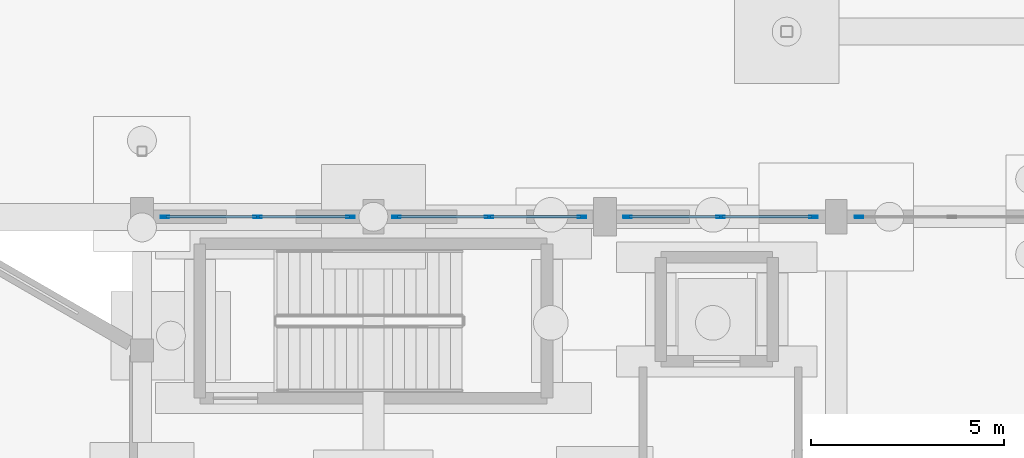
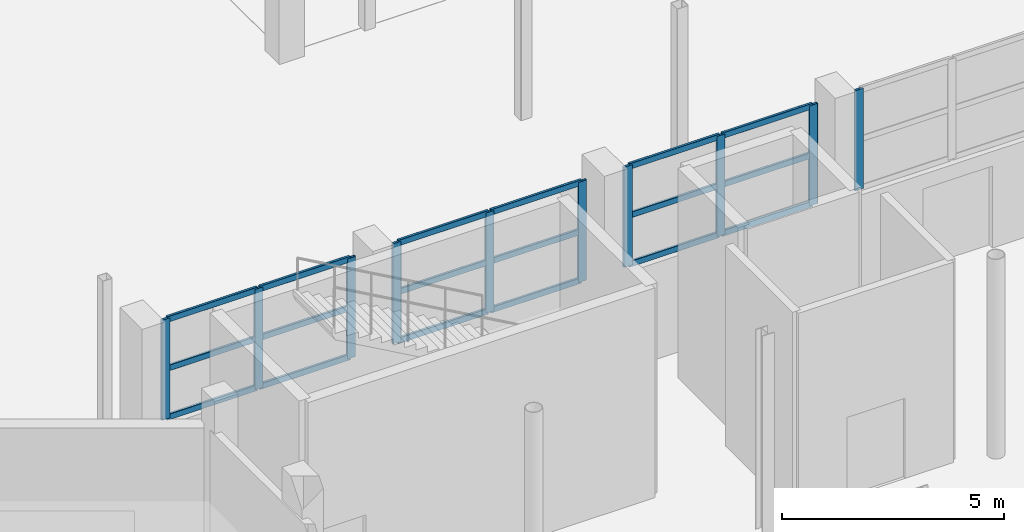
# One storey, part 50 of 103: 28 members, 4 elements without a shape of their own.
"""IFC4 building model written with IfcOpenShell, lengths in metres."""

from ifc_helpers import new_model, si_unit, direction, frame, origin, origin_2d, place, context, subcontext, project, spatial, hollow_rectangle, extrude, material, layer, layer_set, material_profile, profile_set, type_object, element, aggregate, save


model = new_model("IFC4")

# Units and contexts
model_context = context("Model", 3, precision=1e-05, world=origin(), true_north=direction((0.0, 1.0)))
body_context = subcontext(model_context, "Body", "Model", "MODEL_VIEW")
ifc_project = project(units=[si_unit("LENGTHUNIT", "METRE"), si_unit("AREAUNIT", "SQUARE_METRE"), si_unit("VOLUMEUNIT", "CUBIC_METRE"), si_unit("PLANEANGLEUNIT", "RADIAN"), si_unit("MASSUNIT", "GRAM", prefix="KILO")], contexts=[model_context])

# Site, building, storey
site_placement = place(None, origin())
site = spatial("IfcSite", under=ifc_project, at=site_placement, CompositionType="ELEMENT")
building_placement = place(site_placement, origin())
building = spatial("IfcBuilding", under=site, at=building_placement, Name="Dunvalen Ferry Terminal", CompositionType="ELEMENT")
storey_placement = place(building_placement, origin())
storey = spatial("IfcBuildingStorey", under=building, at=storey_placement, Name="L00", CompositionType="ELEMENT", Elevation=0.0)

# Curtain wall, members
ifc_material_1 = material(Name="Anodised marine aluminium and solar-control glazing", Category="aluminium")
ifc_layer = layer(ifc_material_1, 0.219970703125, Name="Anodised marine aluminium and solar-control glazing")
ifc_layer_set = layer_set([ifc_layer], Name="Anodised marine aluminium and solar-control glazing")
curtain_wall_type = type_object("IfcCurtainWallType", Name="ENV-CW-SYS-01", PredefinedType="NOTDEFINED", material=ifc_layer_set)
curtain_wall_1_placement = place(storey_placement, origin())
curtain_wall_1 = element("IfcCurtainWall", 1, at=curtain_wall_1_placement, inside=storey, type_object=curtain_wall_type, Name="L00 Curtain Wall CW-V1N-L00-01", PredefinedType="NOTDEFINED")
ifc_material_2 = material(Name="Anodised marine aluminium EN AW-6063 T6", Category="aluminium")
ifc_material_profile_1 = material_profile(ifc_material_2, hollow_rectangle(XDim=0.06494140625, YDim=0.219970703125, WallThickness=0.00390625, InnerFilletRadius=0.00390625, OuterFilletRadius=0.008056640625, at=origin_2d()), Name="Anodised marine aluminium EN AW-6063 T6")
ifc_profile_set_1 = profile_set([ifc_material_profile_1], Name="Anodised marine aluminium EN AW-6063 T6")
member_type_1 = type_object("IfcMemberType", Name="ENV-CW-MUL-1", PredefinedType="MULLION", material=ifc_profile_set_1)
member_1_placement = place(storey_placement, frame((12.592529296875, 86.39990234375, 2.699951171875), z_axis=(0.0, 0.0, 1.0), x_axis=(0.0, 1.0, 0.0)))
member_1 = element("IfcMember", 2, at=member_1_placement, type_object=member_type_1, Name="CW-01 mullion 1", PredefinedType="MULLION", context=body_context, shape_type="SweptSolid", body=[
    extrude(hollow_rectangle(XDim=0.06494140625, YDim=0.219970703125, WallThickness=0.00390625, InnerFilletRadius=0.00390625, OuterFilletRadius=0.008056640625, at=origin_2d()), origin(), (0.0, 0.0, 1.0), 2.75),
])
member_2_placement = place(storey_placement, frame((15.0, 86.39990234375, 2.699951171875), z_axis=(0.0, 0.0, 1.0), x_axis=(0.0, 1.0, 0.0)))
member_2 = element("IfcMember", 3, at=member_2_placement, type_object=member_type_1, Name="CW-01 mullion 2", PredefinedType="MULLION", context=body_context, shape_type="SweptSolid", body=[
    extrude(hollow_rectangle(XDim=0.06494140625, YDim=0.219970703125, WallThickness=0.00390625, InnerFilletRadius=0.00390625, OuterFilletRadius=0.008056640625, at=origin_2d()), origin(), (0.0, 0.0, 1.0), 2.75),
])
member_3_placement = place(storey_placement, frame((17.407470703125, 86.39990234375, 2.699951171875), z_axis=(0.0, 0.0, 1.0), x_axis=(0.0, 1.0, 0.0)))
member_3 = element("IfcMember", 4, at=member_3_placement, type_object=member_type_1, Name="CW-01 mullion 3", PredefinedType="MULLION", context=body_context, shape_type="SweptSolid", body=[
    extrude(hollow_rectangle(XDim=0.06494140625, YDim=0.219970703125, WallThickness=0.00390625, InnerFilletRadius=0.00390625, OuterFilletRadius=0.008056640625, at=origin_2d()), origin(), (0.0, 0.0, 1.0), 2.75),
])

curtain_wall_2_placement = place(storey_placement, origin())
curtain_wall_2 = element("IfcCurtainWall", 5, at=curtain_wall_2_placement, inside=storey, type_object=curtain_wall_type, Name="L00 Curtain Wall CW-V1N-L00-02", PredefinedType="NOTDEFINED")
member_4_placement = place(storey_placement, frame((18.592529296875, 86.39990234375, 2.699951171875), z_axis=(0.0, 0.0, 1.0), x_axis=(0.0, 1.0, 0.0)))
member_4 = element("IfcMember", 6, at=member_4_placement, type_object=member_type_1, Name="CW-01 mullion 1", PredefinedType="MULLION", context=body_context, shape_type="SweptSolid", body=[
    extrude(hollow_rectangle(XDim=0.06494140625, YDim=0.219970703125, WallThickness=0.00390625, InnerFilletRadius=0.00390625, OuterFilletRadius=0.008056640625, at=origin_2d()), origin(), (0.0, 0.0, 1.0), 2.75),
])
member_5_placement = place(storey_placement, frame((21.0, 86.39990234375, 2.699951171875), z_axis=(0.0, 0.0, 1.0), x_axis=(0.0, 1.0, 0.0)))
member_5 = element("IfcMember", 7, at=member_5_placement, type_object=member_type_1, Name="CW-01 mullion 2", PredefinedType="MULLION", context=body_context, shape_type="SweptSolid", body=[
    extrude(hollow_rectangle(XDim=0.06494140625, YDim=0.219970703125, WallThickness=0.00390625, InnerFilletRadius=0.00390625, OuterFilletRadius=0.008056640625, at=origin_2d()), origin(), (0.0, 0.0, 1.0), 2.75),
])
member_6_placement = place(storey_placement, frame((23.407470703125, 86.39990234375, 2.699951171875), z_axis=(0.0, 0.0, 1.0), x_axis=(0.0, 1.0, 0.0)))
member_6 = element("IfcMember", 8, at=member_6_placement, type_object=member_type_1, Name="CW-01 mullion 3", PredefinedType="MULLION", context=body_context, shape_type="SweptSolid", body=[
    extrude(hollow_rectangle(XDim=0.06494140625, YDim=0.219970703125, WallThickness=0.00390625, InnerFilletRadius=0.00390625, OuterFilletRadius=0.008056640625, at=origin_2d()), origin(), (0.0, 0.0, 1.0), 2.75),
])

curtain_wall_3_placement = place(storey_placement, origin())
curtain_wall_3 = element("IfcCurtainWall", 9, at=curtain_wall_3_placement, inside=storey, type_object=curtain_wall_type, Name="L00 Curtain Wall CW-V1N-L00-03", PredefinedType="NOTDEFINED")
member_7_placement = place(storey_placement, frame((24.592529296875, 86.39990234375, 2.699951171875), z_axis=(0.0, 0.0, 1.0), x_axis=(0.0, 1.0, 0.0)))
member_7 = element("IfcMember", 10, at=member_7_placement, type_object=member_type_1, Name="CW-01 mullion 1", PredefinedType="MULLION", context=body_context, shape_type="SweptSolid", body=[
    extrude(hollow_rectangle(XDim=0.06494140625, YDim=0.219970703125, WallThickness=0.00390625, InnerFilletRadius=0.00390625, OuterFilletRadius=0.008056640625, at=origin_2d()), origin(), (0.0, 0.0, 1.0), 2.75),
])
member_8_placement = place(storey_placement, frame((27.0, 86.39990234375, 2.699951171875), z_axis=(0.0, 0.0, 1.0), x_axis=(0.0, 1.0, 0.0)))
member_8 = element("IfcMember", 11, at=member_8_placement, type_object=member_type_1, Name="CW-01 mullion 2", PredefinedType="MULLION", context=body_context, shape_type="SweptSolid", body=[
    extrude(hollow_rectangle(XDim=0.06494140625, YDim=0.219970703125, WallThickness=0.00390625, InnerFilletRadius=0.00390625, OuterFilletRadius=0.008056640625, at=origin_2d()), origin(), (0.0, 0.0, 1.0), 2.75),
])
member_9_placement = place(storey_placement, frame((29.407470703125, 86.39990234375, 2.699951171875), z_axis=(0.0, 0.0, 1.0), x_axis=(0.0, 1.0, 0.0)))
member_9 = element("IfcMember", 12, at=member_9_placement, type_object=member_type_1, Name="CW-01 mullion 3", PredefinedType="MULLION", context=body_context, shape_type="SweptSolid", body=[
    extrude(hollow_rectangle(XDim=0.06494140625, YDim=0.219970703125, WallThickness=0.00390625, InnerFilletRadius=0.00390625, OuterFilletRadius=0.008056640625, at=origin_2d()), origin(), (0.0, 0.0, 1.0), 2.75),
])

# Curtain wall, member
curtain_wall_4_placement = place(storey_placement, origin())
curtain_wall_4 = element("IfcCurtainWall", 13, at=curtain_wall_4_placement, inside=storey, type_object=curtain_wall_type, Name="L00 Curtain Wall CW-V1N-L00-04", PredefinedType="NOTDEFINED")
member_10_placement = place(storey_placement, frame((30.592529296875, 86.39990234375, 2.699951171875), z_axis=(0.0, 0.0, 1.0), x_axis=(0.0, 1.0, 0.0)))
member_10 = element("IfcMember", 14, at=member_10_placement, type_object=member_type_1, Name="CW-01 mullion 1", PredefinedType="MULLION", context=body_context, shape_type="SweptSolid", body=[
    extrude(hollow_rectangle(XDim=0.06494140625, YDim=0.219970703125, WallThickness=0.00390625, InnerFilletRadius=0.00390625, OuterFilletRadius=0.008056640625, at=origin_2d()), origin(), (0.0, 0.0, 1.0), 2.75),
])
aggregate(curtain_wall_4, [member_10])

# Member
ifc_material_profile_2 = material_profile(ifc_material_2, hollow_rectangle(XDim=0.06494140625, YDim=0.159912109375, WallThickness=0.00341796875, InnerFilletRadius=0.00341796875, OuterFilletRadius=0.007080078125, at=origin_2d()), Name="Anodised marine aluminium EN AW-6063 T6")
ifc_profile_set_2 = profile_set([ifc_material_profile_2], Name="Anodised marine aluminium EN AW-6063 T6")
member_type_2 = type_object("IfcMemberType", Name="ENV-CW-TRN-1", PredefinedType="USERDEFINED", material=ifc_profile_set_2)
member_11_placement = place(storey_placement, frame((12.625, 86.39990234375, 2.732421875), z_axis=(1.0, 0.0, 0.0), x_axis=(0.0, 1.0, 0.0)))
member_11 = element("IfcMember", 15, at=member_11_placement, type_object=member_type_2, Name="CW-01 transom 1.1", ObjectType="TRANSOM", PredefinedType="USERDEFINED", context=body_context, shape_type="SweptSolid", body=[
    extrude(hollow_rectangle(XDim=0.06494140625, YDim=0.159912109375, WallThickness=0.00341796875, InnerFilletRadius=0.00341796875, OuterFilletRadius=0.007080078125, at=origin_2d()), origin(), (0.0, 0.0, 1.0), 2.342529296875),
])

member_12_placement = place(storey_placement, frame((12.625, 86.39990234375, 4.074951171875), z_axis=(1.0, 0.0, 0.0), x_axis=(0.0, 1.0, 0.0)))
member_12 = element("IfcMember", 16, at=member_12_placement, type_object=member_type_2, Name="CW-01 transom 1.2", ObjectType="TRANSOM", PredefinedType="USERDEFINED", context=body_context, shape_type="SweptSolid", body=[
    extrude(hollow_rectangle(XDim=0.06494140625, YDim=0.159912109375, WallThickness=0.00341796875, InnerFilletRadius=0.00341796875, OuterFilletRadius=0.007080078125, at=origin_2d()), origin(), (0.0, 0.0, 1.0), 2.342529296875),
])

member_13_placement = place(storey_placement, frame((12.625, 86.39990234375, 5.41748046875), z_axis=(1.0, 0.0, 0.0), x_axis=(0.0, 1.0, 0.0)))
member_13 = element("IfcMember", 17, at=member_13_placement, type_object=member_type_2, Name="CW-01 transom 1.3", ObjectType="TRANSOM", PredefinedType="USERDEFINED", context=body_context, shape_type="SweptSolid", body=[
    extrude(hollow_rectangle(XDim=0.06494140625, YDim=0.159912109375, WallThickness=0.00341796875, InnerFilletRadius=0.00341796875, OuterFilletRadius=0.007080078125, at=origin_2d()), origin(), (0.0, 0.0, 1.0), 2.342529296875),
])

member_14_placement = place(storey_placement, frame((15.032470703125, 86.39990234375, 2.732421875), z_axis=(1.0, 0.0, 0.0), x_axis=(0.0, 1.0, 0.0)))
member_14 = element("IfcMember", 18, at=member_14_placement, type_object=member_type_2, Name="CW-01 transom 2.1", ObjectType="TRANSOM", PredefinedType="USERDEFINED", context=body_context, shape_type="SweptSolid", body=[
    extrude(hollow_rectangle(XDim=0.06494140625, YDim=0.159912109375, WallThickness=0.00341796875, InnerFilletRadius=0.00341796875, OuterFilletRadius=0.007080078125, at=origin_2d()), origin(), (0.0, 0.0, 1.0), 2.342529296875),
])

member_15_placement = place(storey_placement, frame((15.032470703125, 86.39990234375, 4.074951171875), z_axis=(1.0, 0.0, 0.0), x_axis=(0.0, 1.0, 0.0)))
member_15 = element("IfcMember", 19, at=member_15_placement, type_object=member_type_2, Name="CW-01 transom 2.2", ObjectType="TRANSOM", PredefinedType="USERDEFINED", context=body_context, shape_type="SweptSolid", body=[
    extrude(hollow_rectangle(XDim=0.06494140625, YDim=0.159912109375, WallThickness=0.00341796875, InnerFilletRadius=0.00341796875, OuterFilletRadius=0.007080078125, at=origin_2d()), origin(), (0.0, 0.0, 1.0), 2.342529296875),
])

member_16_placement = place(storey_placement, frame((15.032470703125, 86.39990234375, 5.41748046875), z_axis=(1.0, 0.0, 0.0), x_axis=(0.0, 1.0, 0.0)))
member_16 = element("IfcMember", 20, at=member_16_placement, type_object=member_type_2, Name="CW-01 transom 2.3", ObjectType="TRANSOM", PredefinedType="USERDEFINED", context=body_context, shape_type="SweptSolid", body=[
    extrude(hollow_rectangle(XDim=0.06494140625, YDim=0.159912109375, WallThickness=0.00341796875, InnerFilletRadius=0.00341796875, OuterFilletRadius=0.007080078125, at=origin_2d()), origin(), (0.0, 0.0, 1.0), 2.342529296875),
])

aggregate(curtain_wall_1, [member_1, member_2, member_3, member_11, member_12, member_13, member_14, member_15, member_16])

member_17_placement = place(storey_placement, frame((18.625, 86.39990234375, 2.732421875), z_axis=(1.0, 0.0, 0.0), x_axis=(0.0, 1.0, 0.0)))
member_17 = element("IfcMember", 21, at=member_17_placement, type_object=member_type_2, Name="CW-01 transom 1.1", ObjectType="TRANSOM", PredefinedType="USERDEFINED", context=body_context, shape_type="SweptSolid", body=[
    extrude(hollow_rectangle(XDim=0.06494140625, YDim=0.159912109375, WallThickness=0.00341796875, InnerFilletRadius=0.00341796875, OuterFilletRadius=0.007080078125, at=origin_2d()), origin(), (0.0, 0.0, 1.0), 2.342529296875),
])

member_18_placement = place(storey_placement, frame((18.625, 86.39990234375, 4.074951171875), z_axis=(1.0, 0.0, 0.0), x_axis=(0.0, 1.0, 0.0)))
member_18 = element("IfcMember", 22, at=member_18_placement, type_object=member_type_2, Name="CW-01 transom 1.2", ObjectType="TRANSOM", PredefinedType="USERDEFINED", context=body_context, shape_type="SweptSolid", body=[
    extrude(hollow_rectangle(XDim=0.06494140625, YDim=0.159912109375, WallThickness=0.00341796875, InnerFilletRadius=0.00341796875, OuterFilletRadius=0.007080078125, at=origin_2d()), origin(), (0.0, 0.0, 1.0), 2.342529296875),
])

member_19_placement = place(storey_placement, frame((18.625, 86.39990234375, 5.41748046875), z_axis=(1.0, 0.0, 0.0), x_axis=(0.0, 1.0, 0.0)))
member_19 = element("IfcMember", 23, at=member_19_placement, type_object=member_type_2, Name="CW-01 transom 1.3", ObjectType="TRANSOM", PredefinedType="USERDEFINED", context=body_context, shape_type="SweptSolid", body=[
    extrude(hollow_rectangle(XDim=0.06494140625, YDim=0.159912109375, WallThickness=0.00341796875, InnerFilletRadius=0.00341796875, OuterFilletRadius=0.007080078125, at=origin_2d()), origin(), (0.0, 0.0, 1.0), 2.342529296875),
])

member_20_placement = place(storey_placement, frame((21.032470703125, 86.39990234375, 2.732421875), z_axis=(1.0, 0.0, 0.0), x_axis=(0.0, 1.0, 0.0)))
member_20 = element("IfcMember", 24, at=member_20_placement, type_object=member_type_2, Name="CW-01 transom 2.1", ObjectType="TRANSOM", PredefinedType="USERDEFINED", context=body_context, shape_type="SweptSolid", body=[
    extrude(hollow_rectangle(XDim=0.06494140625, YDim=0.159912109375, WallThickness=0.00341796875, InnerFilletRadius=0.00341796875, OuterFilletRadius=0.007080078125, at=origin_2d()), origin(), (0.0, 0.0, 1.0), 2.342529296875),
])

member_21_placement = place(storey_placement, frame((21.032470703125, 86.39990234375, 4.074951171875), z_axis=(1.0, 0.0, 0.0), x_axis=(0.0, 1.0, 0.0)))
member_21 = element("IfcMember", 25, at=member_21_placement, type_object=member_type_2, Name="CW-01 transom 2.2", ObjectType="TRANSOM", PredefinedType="USERDEFINED", context=body_context, shape_type="SweptSolid", body=[
    extrude(hollow_rectangle(XDim=0.06494140625, YDim=0.159912109375, WallThickness=0.00341796875, InnerFilletRadius=0.00341796875, OuterFilletRadius=0.007080078125, at=origin_2d()), origin(), (0.0, 0.0, 1.0), 2.342529296875),
])

member_22_placement = place(storey_placement, frame((21.032470703125, 86.39990234375, 5.41748046875), z_axis=(1.0, 0.0, 0.0), x_axis=(0.0, 1.0, 0.0)))
member_22 = element("IfcMember", 26, at=member_22_placement, type_object=member_type_2, Name="CW-01 transom 2.3", ObjectType="TRANSOM", PredefinedType="USERDEFINED", context=body_context, shape_type="SweptSolid", body=[
    extrude(hollow_rectangle(XDim=0.06494140625, YDim=0.159912109375, WallThickness=0.00341796875, InnerFilletRadius=0.00341796875, OuterFilletRadius=0.007080078125, at=origin_2d()), origin(), (0.0, 0.0, 1.0), 2.342529296875),
])

aggregate(curtain_wall_2, [member_4, member_5, member_6, member_17, member_18, member_19, member_20, member_21, member_22])

member_23_placement = place(storey_placement, frame((24.625, 86.39990234375, 2.732421875), z_axis=(1.0, 0.0, 0.0), x_axis=(0.0, 1.0, 0.0)))
member_23 = element("IfcMember", 27, at=member_23_placement, type_object=member_type_2, Name="CW-01 transom 1.1", ObjectType="TRANSOM", PredefinedType="USERDEFINED", context=body_context, shape_type="SweptSolid", body=[
    extrude(hollow_rectangle(XDim=0.06494140625, YDim=0.159912109375, WallThickness=0.00341796875, InnerFilletRadius=0.00341796875, OuterFilletRadius=0.007080078125, at=origin_2d()), origin(), (0.0, 0.0, 1.0), 2.342529296875),
])

member_24_placement = place(storey_placement, frame((24.625, 86.39990234375, 4.074951171875), z_axis=(1.0, 0.0, 0.0), x_axis=(0.0, 1.0, 0.0)))
member_24 = element("IfcMember", 28, at=member_24_placement, type_object=member_type_2, Name="CW-01 transom 1.2", ObjectType="TRANSOM", PredefinedType="USERDEFINED", context=body_context, shape_type="SweptSolid", body=[
    extrude(hollow_rectangle(XDim=0.06494140625, YDim=0.159912109375, WallThickness=0.00341796875, InnerFilletRadius=0.00341796875, OuterFilletRadius=0.007080078125, at=origin_2d()), origin(), (0.0, 0.0, 1.0), 2.342529296875),
])

member_25_placement = place(storey_placement, frame((24.625, 86.39990234375, 5.41748046875), z_axis=(1.0, 0.0, 0.0), x_axis=(0.0, 1.0, 0.0)))
member_25 = element("IfcMember", 29, at=member_25_placement, type_object=member_type_2, Name="CW-01 transom 1.3", ObjectType="TRANSOM", PredefinedType="USERDEFINED", context=body_context, shape_type="SweptSolid", body=[
    extrude(hollow_rectangle(XDim=0.06494140625, YDim=0.159912109375, WallThickness=0.00341796875, InnerFilletRadius=0.00341796875, OuterFilletRadius=0.007080078125, at=origin_2d()), origin(), (0.0, 0.0, 1.0), 2.342529296875),
])

member_26_placement = place(storey_placement, frame((27.032470703125, 86.39990234375, 2.732421875), z_axis=(1.0, 0.0, 0.0), x_axis=(0.0, 1.0, 0.0)))
member_26 = element("IfcMember", 30, at=member_26_placement, type_object=member_type_2, Name="CW-01 transom 2.1", ObjectType="TRANSOM", PredefinedType="USERDEFINED", context=body_context, shape_type="SweptSolid", body=[
    extrude(hollow_rectangle(XDim=0.06494140625, YDim=0.159912109375, WallThickness=0.00341796875, InnerFilletRadius=0.00341796875, OuterFilletRadius=0.007080078125, at=origin_2d()), origin(), (0.0, 0.0, 1.0), 2.342529296875),
])

member_27_placement = place(storey_placement, frame((27.032470703125, 86.39990234375, 4.074951171875), z_axis=(1.0, 0.0, 0.0), x_axis=(0.0, 1.0, 0.0)))
member_27 = element("IfcMember", 31, at=member_27_placement, type_object=member_type_2, Name="CW-01 transom 2.2", ObjectType="TRANSOM", PredefinedType="USERDEFINED", context=body_context, shape_type="SweptSolid", body=[
    extrude(hollow_rectangle(XDim=0.06494140625, YDim=0.159912109375, WallThickness=0.00341796875, InnerFilletRadius=0.00341796875, OuterFilletRadius=0.007080078125, at=origin_2d()), origin(), (0.0, 0.0, 1.0), 2.342529296875),
])

member_28_placement = place(storey_placement, frame((27.032470703125, 86.39990234375, 5.41748046875), z_axis=(1.0, 0.0, 0.0), x_axis=(0.0, 1.0, 0.0)))
member_28 = element("IfcMember", 32, at=member_28_placement, type_object=member_type_2, Name="CW-01 transom 2.3", ObjectType="TRANSOM", PredefinedType="USERDEFINED", context=body_context, shape_type="SweptSolid", body=[
    extrude(hollow_rectangle(XDim=0.06494140625, YDim=0.159912109375, WallThickness=0.00341796875, InnerFilletRadius=0.00341796875, OuterFilletRadius=0.007080078125, at=origin_2d()), origin(), (0.0, 0.0, 1.0), 2.342529296875),
])

aggregate(curtain_wall_3, [member_7, member_8, member_9, member_23, member_24, member_25, member_26, member_27, member_28])

save(model, "model.ifc")
